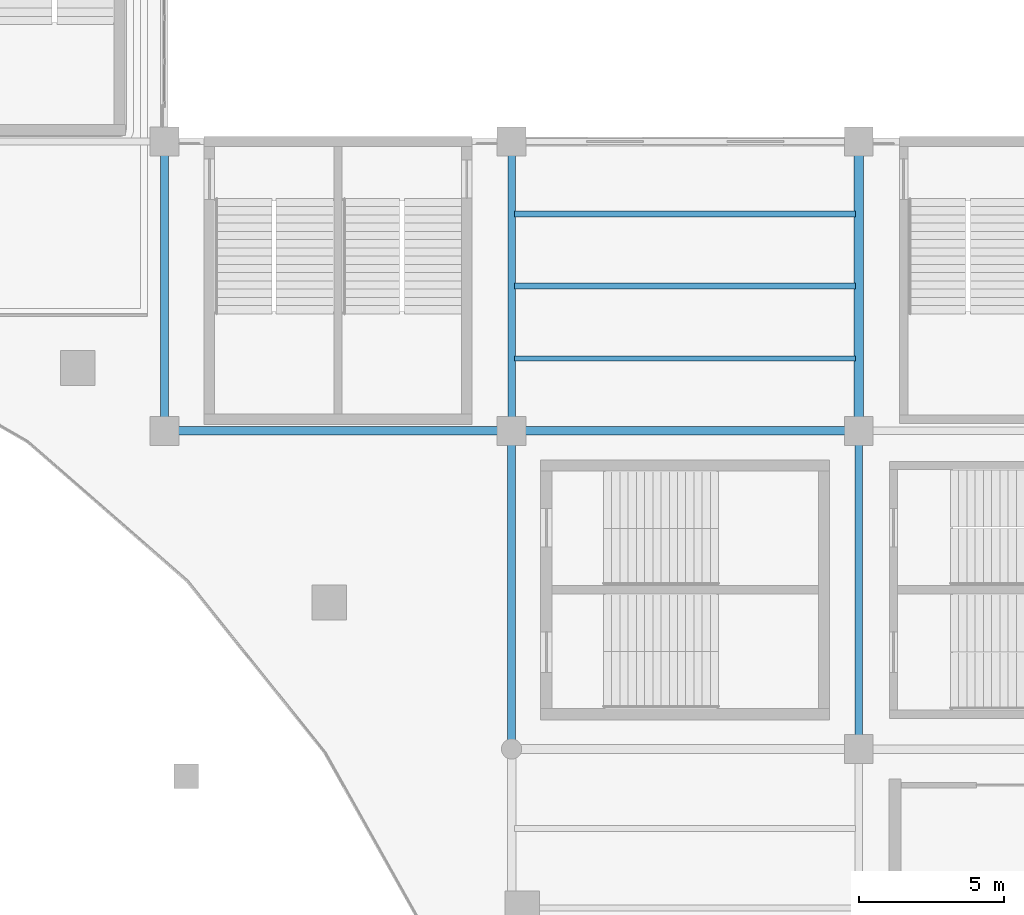
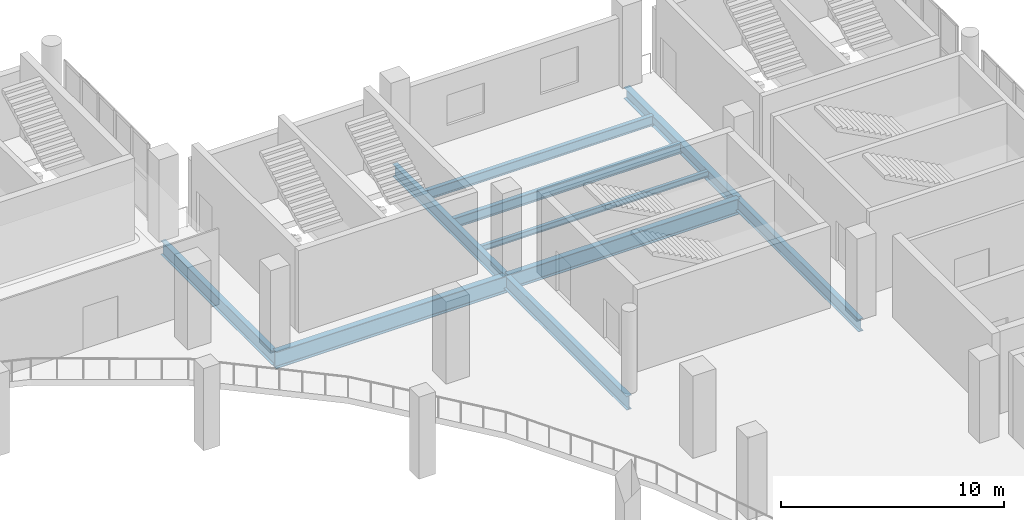
# One storey, part 61 of 108: 10 beams.
"""IFC4 building model written with IfcOpenShell, lengths in metres."""

import ifcopenshell
import ifcopenshell.guid

model = None  # the IFC model being written
_history = None  # IfcOwnerHistory: only IFC2X3 demands one
_inside = {}  # id of a spatial element -> (the spatial element, [elements in it])
_under = {}  # id of a project, library or spatial element -> (it, [spatial elements below it])
_declared = {}  # id of a project -> (the project, [libraries it declares])
_typed = {}  # id of a type object -> (the type object, [elements of that type])
_made_of = {}  # id of a material, layer set ... -> (it, [elements and type objects made of it])


def new_model(schema):
    """Start an empty IFC model of exactly this schema.

    Asked for "IFC4X3", IfcOpenShell would pick the latest addendum, in which some entities
    have other attributes; the version numbers below select the first issue.
    IFC2X3 requires an IfcOwnerHistory on every rooted entity: one is made here for all.
    """
    global model, _history
    if schema == "IFC4X3":
        model = ifcopenshell.file(schema_version=(4, 3, 0, 0))
    else:
        model = ifcopenshell.file(schema=schema)
    _inside.clear()
    _under.clear()
    _declared.clear()
    _typed.clear()
    _made_of.clear()
    _history = None
    if model.schema == "IFC2X3":
        org = make("IfcOrganization", Name="unknown")
        user = make(
            "IfcPersonAndOrganization",
            ThePerson=make("IfcPerson", FamilyName="unknown"),
            TheOrganization=org,
        )
        app = make(
            "IfcApplication",
            ApplicationDeveloper=org,
            Version="unknown",
            ApplicationFullName="unknown",
            ApplicationIdentifier="unknown",
        )
        _history = make(
            "IfcOwnerHistory",
            OwningUser=user,
            OwningApplication=app,
            ChangeAction="ADDED",
            CreationDate=0,
        )
    return model


def make(cls, **values):
    """One entity of the class cls with the attributes given. An attribute that is None is left unset."""
    return model.create_entity(
        cls, **{name: value for name, value in values.items() if value is not None}
    )


def rooted(cls, **values):
    """An entity with a GlobalId (a new one), such as an element, a storey or a relation."""
    return make(cls, GlobalId=ifcopenshell.guid.new(), OwnerHistory=_history, **values)


def si_unit(unit_type, name, prefix=None):
    """IfcSIUnit, for example si_unit("LENGTHUNIT", "METRE", prefix="MILLI")."""
    return make("IfcSIUnit", UnitType=unit_type, Prefix=prefix, Name=name)


def assignment(units):
    """IfcUnitAssignment: the units of a project."""
    return None if units is None else make("IfcUnitAssignment", Units=units)


def point(xyz):
    """IfcCartesianPoint."""
    return None if xyz is None else make("IfcCartesianPoint", Coordinates=xyz)


def direction(xyz):
    """IfcDirection."""
    return None if xyz is None else make("IfcDirection", DirectionRatios=xyz)


def frame(location, z_axis=None, x_axis=None):
    """IfcAxis2Placement3D, a coordinate frame: its origin and axes. An axis left out is left unset."""
    return make(
        "IfcAxis2Placement3D",
        Location=point(location),
        Axis=direction(z_axis),
        RefDirection=direction(x_axis),
    )


def frame_2d(location, x_axis=None):
    """IfcAxis2Placement2D, a coordinate frame in the plane: its origin and x axis."""
    return make(
        "IfcAxis2Placement2D", Location=point(location), RefDirection=direction(x_axis)
    )


def origin():
    """The frame at (0, 0, 0) with its axes left unset."""
    return frame((0.0, 0.0, 0.0))


def origin_2d():
    """The frame at (0, 0) in the plane with its x axis left unset."""
    return frame_2d((0.0, 0.0))


def place(relative_to, where):
    """IfcLocalPlacement: puts the frame where relative to a parent placement (None: the world)."""
    return make(
        "IfcLocalPlacement", PlacementRelTo=relative_to, RelativePlacement=where
    )


def context(
    kind, dimensions, precision=None, world=None, true_north=None, identifier=None
):
    """IfcGeometricRepresentationContext, for example the 3D "Model" context."""
    return make(
        "IfcGeometricRepresentationContext",
        ContextIdentifier=identifier,
        ContextType=kind,
        CoordinateSpaceDimension=dimensions,
        Precision=precision,
        WorldCoordinateSystem=world,
        TrueNorth=true_north,
    )


def subcontext(parent, identifier, kind, view, scale=None):
    """IfcGeometricRepresentationSubContext, for example "Body" below "Model"."""
    return make(
        "IfcGeometricRepresentationSubContext",
        ContextIdentifier=identifier,
        ContextType=kind,
        ParentContext=parent,
        TargetScale=scale,
        TargetView=view,
    )


def project(units=None, contexts=None):
    """IfcProject with its units and contexts."""
    return rooted(
        "IfcProject",
        Name="project",
        RepresentationContexts=contexts,
        UnitsInContext=assignment(units),
    )


def spatial(cls, under=None, at=None, **own):
    """A site, building, storey or space (cls), placed at a placement, below another one or the project."""
    s = rooted(cls, ObjectPlacement=at, **own)
    if under is not None:
        _under.setdefault(under.id(), (under, []))[1].append(s)
    return s


def profile(cls, at=None, kind="AREA", **sizes):
    """A parametric profile (cls). Its sizes go by their IFC names, for example OverallWidth=200.0."""
    return make(cls, ProfileType=kind, Position=at, **sizes)


def i_section(**sizes):
    """IfcIShapeProfileDef."""
    return profile("IfcIShapeProfileDef", **sizes)


def extrude(swept, where, along, depth):
    """IfcExtrudedAreaSolid: the profile swept, set in the frame where, extruded along a direction by depth."""
    return make(
        "IfcExtrudedAreaSolid",
        SweptArea=swept,
        Position=where,
        ExtrudedDirection=direction(along),
        Depth=depth,
    )


def shape(context_of_items, identifier, shape_type, items):
    """IfcShapeRepresentation: the items that make up one representation, for example the "Body"."""
    return make(
        "IfcShapeRepresentation",
        ContextOfItems=context_of_items,
        RepresentationIdentifier=identifier,
        RepresentationType=shape_type,
        Items=items,
    )


def material(Name=None, Category=None):
    """IfcMaterial."""
    return make("IfcMaterial", Name=Name, Category=Category)


def material_profile(
    of_material, cross_section, Name=None, Category=None, Priority=None
):
    """IfcMaterialProfile: a cross section and its material."""
    return make(
        "IfcMaterialProfile",
        Name=Name,
        Material=of_material,
        Profile=cross_section,
        Priority=Priority,
        Category=Category,
    )


def profile_set(profiles, Name=None, composite=None):
    """IfcMaterialProfileSet."""
    return make(
        "IfcMaterialProfileSet",
        Name=Name,
        MaterialProfiles=profiles,
        CompositeProfile=composite,
    )


def made_of(thing, what):
    """Note that an element or type object is made of a material, layer set ...; save() writes the relation."""
    if what is not None:
        _made_of.setdefault(what.id(), (what, []))[1].append(thing)
    return thing


def type_object(cls, material=None, **own):
    """A type object (cls), such as IfcWallType, which elements share."""
    return made_of(rooted(cls, **own), material)


def element(
    cls,
    number,
    at=None,
    inside=None,
    cuts=None,
    type_object=None,
    material=None,
    context=None,
    identifier="Body",
    shape_type=None,
    held_by="IfcProductDefinitionShape",
    body=None,
    shapes=None,
    **own,
):
    """One element of the class cls, such as IfcWall. Its Tag is "e" and its number.

    at: its placement. inside: the storey or other place that contains it. cuts: it is an
    opening in that element (IfcRelVoidsElement). A single representation is given by context,
    identifier, shape_type and body (its items); several are given by shapes. held_by: the class
    of the entity that holds the representations. save() writes the other relations.
    """
    e = rooted(cls, Tag="e%d" % number, ObjectPlacement=at, **own)
    if body is not None:
        shapes = [shape(context, identifier, shape_type, body)]
    if shapes is not None:
        e.Representation = make(held_by, Representations=shapes)
    if inside is not None:
        _inside.setdefault(inside.id(), (inside, []))[1].append(e)
    if cuts is not None:
        rooted(
            "IfcRelVoidsElement", RelatingBuildingElement=cuts, RelatedOpeningElement=e
        )
    if type_object is not None:
        _typed.setdefault(type_object.id(), (type_object, []))[1].append(e)
    return made_of(e, material)


def aggregate(whole, parts):
    """IfcRelAggregates: a whole, such as a stair, and the parts it consists of."""
    return rooted("IfcRelAggregates", RelatingObject=whole, RelatedObjects=parts)


def save(model, path):
    """Write the relations noted so far, then the file.

    IfcRelAggregates (storeys below a building ...), IfcRelContainedInSpatialStructure (elements
    in a storey), IfcRelDefinesByType, IfcRelAssociatesMaterial and IfcRelDeclares: one each for
    every whole, place, type object, material and project.
    """
    for whole, parts in _under.values():
        aggregate(whole, parts)
    for where, things in _inside.values():
        rooted(
            "IfcRelContainedInSpatialStructure",
            RelatedElements=things,
            RelatingStructure=where,
        )
    for kind, things in _typed.values():
        rooted("IfcRelDefinesByType", RelatedObjects=things, RelatingType=kind)
    for what, things in _made_of.values():
        rooted("IfcRelAssociatesMaterial", RelatedObjects=things, RelatingMaterial=what)
    for by, libraries in _declared.values():
        rooted("IfcRelDeclares", RelatingContext=by, RelatedDefinitions=libraries)
    model.write(path)


model = new_model("IFC4")

# Units and contexts
model_context = context("Model", 3, precision=1e-05, world=origin(), true_north=direction((0.0, 1.0)))
body_context = subcontext(model_context, "Body", "Model", "MODEL_VIEW")
ifc_project = project(units=[si_unit("LENGTHUNIT", "METRE"), si_unit("AREAUNIT", "SQUARE_METRE"), si_unit("VOLUMEUNIT", "CUBIC_METRE"), si_unit("PLANEANGLEUNIT", "RADIAN"), si_unit("MASSUNIT", "GRAM", prefix="KILO")], contexts=[model_context])

# Site, building, storey
site_placement = place(None, origin())
site = spatial("IfcSite", under=ifc_project, at=site_placement, CompositionType="ELEMENT")
building_placement = place(site_placement, origin())
building = spatial("IfcBuilding", under=site, at=building_placement, Name="Brinegate Civic Arena", CompositionType="ELEMENT")
storey_placement = place(building_placement, frame((0.0, 0.0, 10.199951171875)))
storey = spatial("IfcBuildingStorey", under=building, at=storey_placement, Name="L02", CompositionType="ELEMENT", Elevation=10.199951171875)

# Beams
ifc_material = material(Name="Steel S355", Category="steel")
ifc_material_profile_1 = material_profile(ifc_material, i_section(OverallWidth=0.323974609375, OverallDepth=0.611083984375, WebThickness=0.012939453125, FlangeThickness=0.01904296875, FilletRadius=0.01611328125, at=origin_2d()), Name="W610X155")
ifc_profile_set_1 = profile_set([ifc_material_profile_1], Name="Steel S355")
beam_type_1 = type_object("IfcBeamType", Name="GIRDER-W610X155", PredefinedType="BEAM", material=ifc_profile_set_1)
beam_1_placement = place(storey_placement, frame((156.0, 104.0, -0.635009765625), z_axis=(0.0, 1.0, 0.0), x_axis=(-1.0, 0.0, 0.0)))
element("IfcBeam", 1, at=beam_1_placement, inside=storey, type_object=beam_type_1, Name="Floor Girder BM-L02-GY-13-10", PredefinedType="BEAM", context=body_context, shape_type="SweptSolid", body=[
    extrude(i_section(OverallWidth=0.323974609375, OverallDepth=0.611083984375, WebThickness=0.012939453125, FlangeThickness=0.01904296875, FilletRadius=0.01611328125, at=origin_2d()), origin(), (0.0, 0.0, 1.0), 10.0),
])
ifc_material_profile_2 = material_profile(ifc_material, i_section(OverallWidth=0.256103515625, OverallDepth=0.693115234375, WebThickness=0.014892578125, FlangeThickness=0.02392578125, FilletRadius=0.01806640625, at=origin_2d()), Name="W690X170")
ifc_profile_set_2 = profile_set([ifc_material_profile_2], Name="Steel S355")
beam_type_2 = type_object("IfcBeamType", Name="GIRDER-W690X170", PredefinedType="BEAM", material=ifc_profile_set_2)
beam_2_placement = place(storey_placement, frame((144.0, 104.0, -0.676025390625), z_axis=(0.0, 1.0, 0.0), x_axis=(-1.0, 0.0, 0.0)))
element("IfcBeam", 2, at=beam_2_placement, inside=storey, type_object=beam_type_2, Name="Floor Girder BM-L02-GY-12-10", PredefinedType="BEAM", context=body_context, shape_type="SweptSolid", body=[
    extrude(i_section(OverallWidth=0.256103515625, OverallDepth=0.693115234375, WebThickness=0.014892578125, FlangeThickness=0.02392578125, FilletRadius=0.01806640625, at=origin_2d()), origin(), (0.0, 0.0, 1.0), 10.0),
])
beam_3_placement = place(storey_placement, frame((156.0, 93.0, -0.676025390625), z_axis=(0.0, 1.0, 0.0), x_axis=(-1.0, 0.0, 0.0)))
element("IfcBeam", 3, at=beam_3_placement, inside=storey, type_object=beam_type_2, Name="Floor Girder BM-L02-GY-13-09", PredefinedType="BEAM", context=body_context, shape_type="SweptSolid", body=[
    extrude(i_section(OverallWidth=0.256103515625, OverallDepth=0.693115234375, WebThickness=0.014892578125, FlangeThickness=0.02392578125, FilletRadius=0.01806640625, at=origin_2d()), origin(), (0.0, 0.0, 1.0), 11.0),
])
ifc_material_profile_3 = material_profile(ifc_material, i_section(OverallWidth=0.26806640625, OverallDepth=0.77001953125, WebThickness=0.01611328125, FlangeThickness=0.02490234375, FilletRadius=0.02001953125, at=origin_2d()), Name="W760X196")
ifc_profile_set_3 = profile_set([ifc_material_profile_3], Name="Steel S355")
beam_type_3 = type_object("IfcBeamType", Name="GIRDER-W760X196", PredefinedType="BEAM", material=ifc_profile_set_3)
beam_4_placement = place(storey_placement, frame((132.0, 104.0, -0.71484375), z_axis=(0.0, 1.0, 0.0), x_axis=(-1.0, 0.0, 0.0)))
element("IfcBeam", 4, at=beam_4_placement, inside=storey, type_object=beam_type_3, Name="Floor Girder BM-L02-GY-11-10", PredefinedType="BEAM", context=body_context, shape_type="SweptSolid", body=[
    extrude(i_section(OverallWidth=0.26806640625, OverallDepth=0.77001953125, WebThickness=0.01611328125, FlangeThickness=0.02490234375, FilletRadius=0.02001953125, at=origin_2d()), origin(), (0.0, 0.0, 1.0), 10.0),
])
beam_5_placement = place(storey_placement, frame((144.0, 93.0, -0.71484375), z_axis=(0.0, 1.0, 0.0), x_axis=(-1.0, 0.0, 0.0)))
element("IfcBeam", 5, at=beam_5_placement, inside=storey, type_object=beam_type_3, Name="Floor Girder BM-L02-GY-12-09", PredefinedType="BEAM", context=body_context, shape_type="SweptSolid", body=[
    extrude(i_section(OverallWidth=0.26806640625, OverallDepth=0.77001953125, WebThickness=0.01611328125, FlangeThickness=0.02490234375, FilletRadius=0.02001953125, at=origin_2d()), origin(), (0.0, 0.0, 1.0), 11.0),
])
ifc_material_profile_4 = material_profile(ifc_material, i_section(OverallWidth=0.2939453125, OverallDepth=0.85107421875, WebThickness=0.01611328125, FlangeThickness=0.027099609375, FilletRadius=0.02197265625, at=origin_2d()), Name="W840X226")
ifc_profile_set_4 = profile_set([ifc_material_profile_4], Name="Steel S355")
beam_type_4 = type_object("IfcBeamType", Name="GIRDER-W840X226", PredefinedType="BEAM", material=ifc_profile_set_4)
beam_6_placement = place(storey_placement, frame((144.0, 104.0, -0.7548828125), z_axis=(1.0, 0.0, 0.0), x_axis=(0.0, 1.0, 0.0)))
element("IfcBeam", 6, at=beam_6_placement, inside=storey, type_object=beam_type_4, Name="Floor Girder BM-L02-GX-12-10", PredefinedType="BEAM", context=body_context, shape_type="SweptSolid", body=[
    extrude(i_section(OverallWidth=0.2939453125, OverallDepth=0.85107421875, WebThickness=0.01611328125, FlangeThickness=0.027099609375, FilletRadius=0.02197265625, at=origin_2d()), origin(), (0.0, 0.0, 1.0), 12.0),
])
ifc_material_profile_5 = material_profile(ifc_material, i_section(OverallWidth=0.30810546875, OverallDepth=0.927001953125, WebThickness=0.01904296875, FlangeThickness=0.031982421875, FilletRadius=0.02392578125, at=origin_2d()), Name="W920X289")
ifc_profile_set_5 = profile_set([ifc_material_profile_5], Name="Steel S355")
beam_type_5 = type_object("IfcBeamType", Name="GIRDER-W920X289", PredefinedType="BEAM", material=ifc_profile_set_5)
beam_7_placement = place(storey_placement, frame((132.0, 104.0, -0.79296875), z_axis=(1.0, 0.0, 0.0), x_axis=(0.0, 1.0, 0.0)))
element("IfcBeam", 7, at=beam_7_placement, inside=storey, type_object=beam_type_5, Name="Floor Girder BM-L02-GX-11-10", PredefinedType="BEAM", context=body_context, shape_type="SweptSolid", body=[
    extrude(i_section(OverallWidth=0.30810546875, OverallDepth=0.927001953125, WebThickness=0.01904296875, FlangeThickness=0.031982421875, FilletRadius=0.02392578125, at=origin_2d()), origin(), (0.0, 0.0, 1.0), 12.0),
])
ifc_material_profile_6 = material_profile(ifc_material, i_section(OverallWidth=0.1669921875, OverallDepth=0.31689453125, WebThickness=0.008056640625, FlangeThickness=0.012939453125, FilletRadius=0.012939453125, at=origin_2d()), Name="W310X52")
ifc_profile_set_6 = profile_set([ifc_material_profile_6], Name="Steel S355")
beam_type_6 = type_object("IfcBeamType", Name="JOIST-W310X52", PredefinedType="JOIST", material=ifc_profile_set_6)
beam_8_placement = place(storey_placement, frame((144.10595703125, 106.5, -0.488037109375), z_axis=(1.0, 0.0, 0.0), x_axis=(0.0, 1.0, 0.0)))
element("IfcBeam", 8, at=beam_8_placement, inside=storey, type_object=beam_type_6, Name="Secondary Joist BM-L02-JX-12-10-1", PredefinedType="JOIST", context=body_context, shape_type="SweptSolid", body=[
    extrude(i_section(OverallWidth=0.1669921875, OverallDepth=0.31689453125, WebThickness=0.008056640625, FlangeThickness=0.012939453125, FilletRadius=0.012939453125, at=origin_2d()), origin(), (0.0, 0.0, 1.0), 11.7880859375),
])
ifc_material_profile_7 = material_profile(ifc_material, i_section(OverallWidth=0.2109375, OverallDepth=0.5390625, WebThickness=0.011962890625, FlangeThickness=0.01904296875, FilletRadius=0.01611328125, at=origin_2d()), Name="W530X109")
ifc_profile_set_7 = profile_set([ifc_material_profile_7], Name="Steel S355")
beam_type_7 = type_object("IfcBeamType", Name="JOIST-W530X109", PredefinedType="JOIST", material=ifc_profile_set_7)
beam_9_placement = place(storey_placement, frame((144.10595703125, 111.5, -0.598876953125), z_axis=(1.0, 0.0, 0.0), x_axis=(0.0, 1.0, 0.0)))
element("IfcBeam", 9, at=beam_9_placement, inside=storey, type_object=beam_type_7, Name="Secondary Joist BM-L02-JX-12-10-3", PredefinedType="JOIST", context=body_context, shape_type="SweptSolid", body=[
    extrude(i_section(OverallWidth=0.2109375, OverallDepth=0.5390625, WebThickness=0.011962890625, FlangeThickness=0.01904296875, FilletRadius=0.01611328125, at=origin_2d()), origin(), (0.0, 0.0, 1.0), 11.7880859375),
])
ifc_material_profile_8 = material_profile(ifc_material, i_section(OverallWidth=0.214111328125, OverallDepth=0.549072265625, WebThickness=0.014892578125, FlangeThickness=0.02392578125, FilletRadius=0.01611328125, at=origin_2d()), Name="W530X138")
ifc_profile_set_8 = profile_set([ifc_material_profile_8], Name="Steel S355")
beam_type_8 = type_object("IfcBeamType", Name="JOIST-W530X138", PredefinedType="JOIST", material=ifc_profile_set_8)
beam_10_placement = place(storey_placement, frame((144.10595703125, 109.0, -0.60400390625), z_axis=(1.0, 0.0, 0.0), x_axis=(0.0, 1.0, 0.0)))
element("IfcBeam", 10, at=beam_10_placement, inside=storey, type_object=beam_type_8, Name="Secondary Joist BM-L02-JX-12-10-2", PredefinedType="JOIST", context=body_context, shape_type="SweptSolid", body=[
    extrude(i_section(OverallWidth=0.214111328125, OverallDepth=0.549072265625, WebThickness=0.014892578125, FlangeThickness=0.02392578125, FilletRadius=0.01611328125, at=origin_2d()), origin(), (0.0, 0.0, 1.0), 11.7880859375),
])

save(model, "model.ifc")
